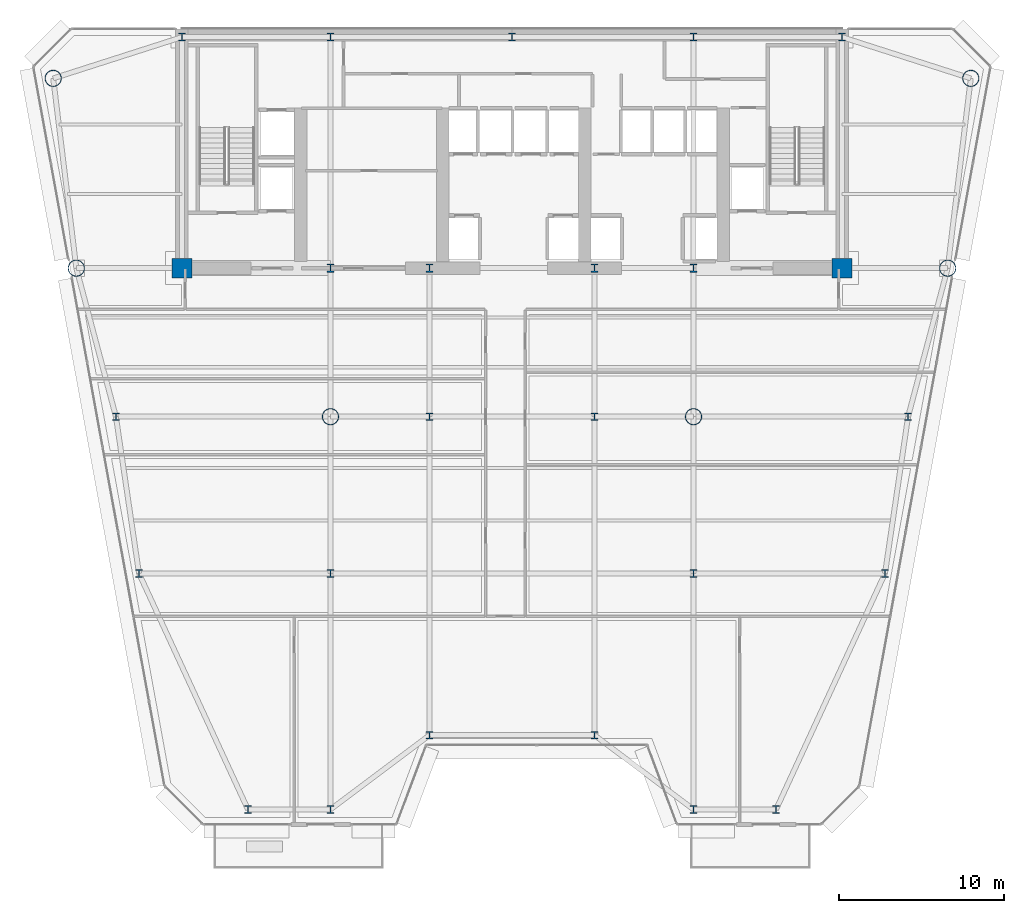
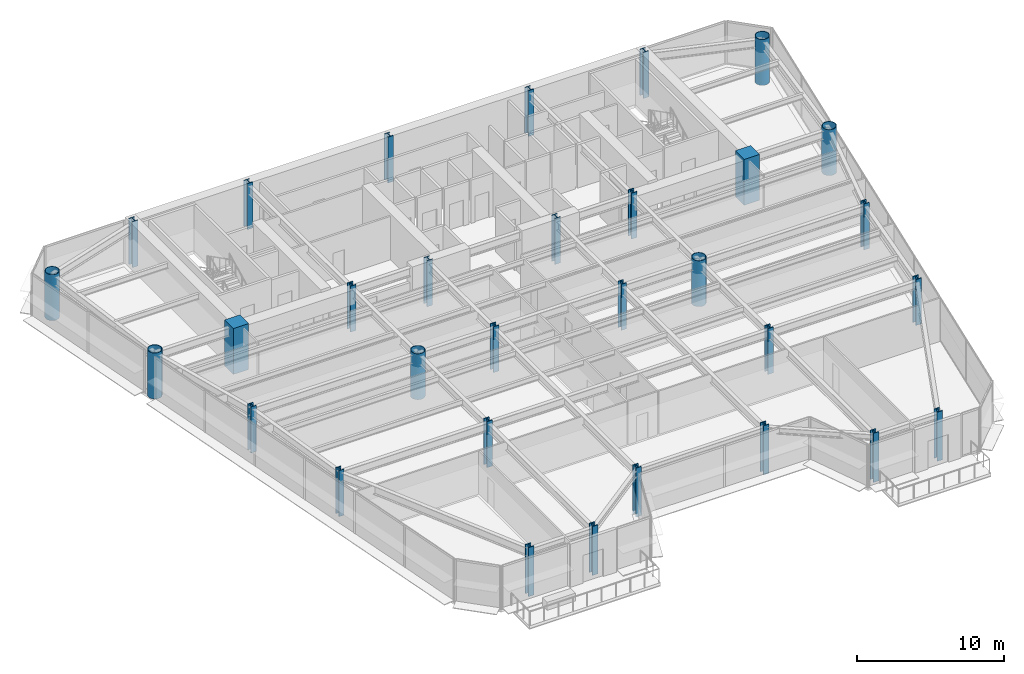
# One storey, part 1 of 17: 31 columns.
"""IFC4 building model written with IfcOpenShell, lengths in metres."""

from ifc_helpers import new_model, si_unit, direction, frame, origin, origin_2d, place, context, subcontext, project, spatial, rectangle, hollow_circle, i_section, extrude, source, transform, mapped, material, material_profile, profile_set, type_object, element, save


model = new_model("IFC4")

# Units and contexts
model_context = context("Model", 3, precision=1e-05, world=origin(), true_north=direction((0.0, 1.0)))
body_context = subcontext(model_context, "Body", "Model", "MODEL_VIEW")
ifc_project = project(units=[si_unit("LENGTHUNIT", "METRE"), si_unit("AREAUNIT", "SQUARE_METRE"), si_unit("VOLUMEUNIT", "CUBIC_METRE"), si_unit("PLANEANGLEUNIT", "RADIAN"), si_unit("MASSUNIT", "GRAM", prefix="KILO")], contexts=[model_context])

# Site, building, storey
site_placement = place(None, origin())
site = spatial("IfcSite", under=ifc_project, at=site_placement, CompositionType="ELEMENT")
building_placement = place(site_placement, origin())
building = spatial("IfcBuilding", under=site, at=building_placement, Name="Vaeldorn Concourse Tower", CompositionType="ELEMENT")
storey_placement = place(building_placement, frame((0.0, 0.0, 153.800048828125)))
storey = spatial("IfcBuildingStorey", under=building, at=storey_placement, Name="L39", CompositionType="ELEMENT", Elevation=153.800048828125)

# Columns
ifc_material_1 = material(Name="Concrete C50/60", Category="concrete")
ifc_material_profile_1 = material_profile(ifc_material_1, rectangle(XDim=1.199951171875, YDim=1.199951171875, at=origin_2d()), Name="RC 1200x1200")
ifc_profile_set_1 = profile_set([ifc_material_profile_1], Name="Concrete C50/60")
column_type_1 = type_object("IfcColumnType", Name="COL-RC1200", PredefinedType="COLUMN", material=ifc_profile_set_1)
shared_shape_1 = source(origin(), body_context, "Body", "SweptSolid", [
    extrude(rectangle(XDim=1.199951171875, YDim=1.199951171875, at=origin_2d()), origin(), (0.0, 0.0, 1.0), 3.800048828125),
])
for number, where, z_axis, x_axis, name in (
    (1, (14.0, 36.5, 0.0), (0.0, 0.0, 1.0), (1.0, 0.0, 0.0), "Column C-FC1 L39"),
    (2, (54.0, 36.5, 0.0), (0.0, 0.0, 1.0), (1.0, 0.0, 0.0), "Column C-FC6 L39"),
):
    element("IfcColumn", number, at=place(storey_placement, frame(where, z_axis=z_axis, x_axis=x_axis)), inside=storey, type_object=column_type_1, Name=name, PredefinedType="COLUMN", context=body_context, shape_type="MappedRepresentation", body=[
        mapped(shared_shape_1, transform((0.0, 0.0, 0.0), scale=1.0)),
    ])
ifc_material_2 = material(Name="Steel S460", Category="steel")
ifc_material_profile_2 = material_profile(ifc_material_2, i_section(OverallWidth=0.431884765625, OverallDepth=0.498046875, WebThickness=0.054931640625, FlangeThickness=0.068115234375, FilletRadius=0.014892578125, at=origin_2d()), Name="HD 400x744")
ifc_profile_set_2 = profile_set([ifc_material_profile_2], Name="Steel S460")
column_type_2 = type_object("IfcColumnType", Name="COL-HD744", PredefinedType="COLUMN", material=ifc_profile_set_2)
shared_shape_2 = source(origin(), body_context, "Body", "SweptSolid", [
    extrude(i_section(OverallWidth=0.431884765625, OverallDepth=0.498046875, WebThickness=0.054931640625, FlangeThickness=0.068115234375, FilletRadius=0.014892578125, at=origin_2d()), origin(), (0.0, 0.0, 1.0), 3.800048828125),
])
for number, where, z_axis, x_axis, name in (
    (3, (23.0, 36.5, 0.0), (0.0, 0.0, 1.0), (1.0, 0.0, 0.0), "Column C-FC2 L39"),
    (4, (29.0, 36.5, 0.0), (0.0, 0.0, 1.0), (1.0, 0.0, 0.0), "Column C-FC3 L39"),
    (5, (39.0, 36.5, 0.0), (0.0, 0.0, 1.0), (1.0, 0.0, 0.0), "Column C-FC4 L39"),
    (6, (45.0, 36.5, 0.0), (0.0, 0.0, 1.0), (1.0, 0.0, 0.0), "Column C-FC5 L39"),
    (7, (14.0, 50.5, 0.0), (0.0, 0.0, 1.0), (1.0, 0.0, 0.0), "Column C-HC1 L39"),
    (8, (23.0, 50.5, 0.0), (0.0, 0.0, 1.0), (1.0, 0.0, 0.0), "Column C-HC2 L39"),
    (9, (34.0, 50.5, 0.0), (0.0, 0.0, 1.0), (1.0, 0.0, 0.0), "Column C-HC3 L39"),
    (10, (45.0, 50.5, 0.0), (0.0, 0.0, 1.0), (1.0, 0.0, 0.0), "Column C-HC4 L39"),
    (11, (54.0, 50.5, 0.0), (0.0, 0.0, 1.0), (1.0, 0.0, 0.0), "Column C-HC5 L39"),
):
    element("IfcColumn", number, at=place(storey_placement, frame(where, z_axis=z_axis, x_axis=x_axis)), inside=storey, type_object=column_type_2, Name=name, PredefinedType="COLUMN", context=body_context, shape_type="MappedRepresentation", body=[
        mapped(shared_shape_2, transform((0.0, 0.0, 0.0), scale=1.0)),
    ])
ifc_material_profile_3 = material_profile(ifc_material_2, hollow_circle(Radius=0.508056640625, WallThickness=0.044921875, at=origin_2d()), Name="CHS 1016x45")
ifc_profile_set_3 = profile_set([ifc_material_profile_3], Name="Steel S460")
column_type_3 = type_object("IfcColumnType", Name="COL-CHS1016", PredefinedType="COLUMN", material=ifc_profile_set_3)
shared_shape_3 = source(origin(), body_context, "Body", "SweptSolid", [
    extrude(hollow_circle(Radius=0.508056640625, WallThickness=0.044921875, at=origin_2d()), origin(), (0.0, 0.0, 1.0), 3.800048828125),
])
for number, where, z_axis, x_axis, name in (
    (12, (6.199951171875, 48.0, 0.0), (0.0, 0.0, 1.0), (1.0, 0.0, 0.0), "Column C-NW1 L39"),
    (13, (7.60009765625, 36.5, 0.0), (0.0, 0.0, 1.0), (1.0, 0.0, 0.0), "Column C-NW2 L39"),
    (14, (61.800048828125, 48.0, 0.0), (0.0, 0.0, 1.0), (1.0, 0.0, 0.0), "Column C-NE1 L39"),
    (15, (60.39990234375, 36.5, 0.0), (0.0, 0.0, 1.0), (1.0, 0.0, 0.0), "Column C-NE2 L39"),
    (16, (23.0, 27.5, 0.0), (0.0, 0.0, 1.0), (1.0, 0.0, 0.0), "Column C-TW1 L39"),
    (17, (45.0, 27.5, 0.0), (0.0, 0.0, 1.0), (1.0, 0.0, 0.0), "Column C-TW4 L39"),
):
    element("IfcColumn", number, at=place(storey_placement, frame(where, z_axis=z_axis, x_axis=x_axis)), inside=storey, type_object=column_type_3, Name=name, PredefinedType="COLUMN", context=body_context, shape_type="MappedRepresentation", body=[
        mapped(shared_shape_3, transform((0.0, 0.0, 0.0), scale=1.0)),
    ])
ifc_material_profile_4 = material_profile(ifc_material_2, i_section(OverallWidth=0.424072265625, OverallDepth=0.47412109375, WebThickness=0.047119140625, FlangeThickness=0.06494140625, FilletRadius=0.014892578125, at=origin_2d()), Name="HD 400x634")
ifc_profile_set_4 = profile_set([ifc_material_profile_4], Name="Steel S460")
column_type_4 = type_object("IfcColumnType", Name="COL-HD634F", PredefinedType="COLUMN", material=ifc_profile_set_4)
shared_shape_4 = source(origin(), body_context, "Body", "SweptSolid", [
    extrude(i_section(OverallWidth=0.424072265625, OverallDepth=0.47412109375, WebThickness=0.047119140625, FlangeThickness=0.06494140625, FilletRadius=0.014892578125, at=origin_2d()), origin(), (0.0, 0.0, 1.0), 3.800048828125),
])
for number, where, z_axis, x_axis, name in (
    (18, (10.0, 27.5, 0.0), (0.0, 0.0, 1.0), (1.0, 0.0, 0.0), "Column C-FLW1 L39"),
    (19, (11.39990234375, 18.0, 0.0), (0.0, 0.0, 1.0), (1.0, 0.0, 0.0), "Column C-FLW2 L39"),
    (20, (58.0, 27.5, 0.0), (0.0, 0.0, 1.0), (1.0, 0.0, 0.0), "Column C-FLE1 L39"),
    (21, (56.60009765625, 18.0, 0.0), (0.0, 0.0, 1.0), (1.0, 0.0, 0.0), "Column C-FLE2 L39"),
):
    element("IfcColumn", number, at=place(storey_placement, frame(where, z_axis=z_axis, x_axis=x_axis)), inside=storey, type_object=column_type_4, Name=name, PredefinedType="COLUMN", context=body_context, shape_type="MappedRepresentation", body=[
        mapped(shared_shape_4, transform((0.0, 0.0, 0.0), scale=1.0)),
    ])
ifc_material_profile_5 = material_profile(ifc_material_2, i_section(OverallWidth=0.424072265625, OverallDepth=0.47412109375, WebThickness=0.047119140625, FlangeThickness=0.06494140625, FilletRadius=0.014892578125, at=origin_2d()), Name="HD 400x634")
ifc_profile_set_5 = profile_set([ifc_material_profile_5], Name="Steel S460")
column_type_5 = type_object("IfcColumnType", Name="COL-HD634T", PredefinedType="COLUMN", material=ifc_profile_set_5)
shared_shape_5 = source(origin(), body_context, "Body", "SweptSolid", [
    extrude(i_section(OverallWidth=0.424072265625, OverallDepth=0.47412109375, WebThickness=0.047119140625, FlangeThickness=0.06494140625, FilletRadius=0.014892578125, at=origin_2d()), origin(), (0.0, 0.0, 1.0), 3.800048828125),
])
for number, where, z_axis, x_axis, name in (
    (22, (29.0, 27.5, 0.0), (0.0, 0.0, 1.0), (1.0, 0.0, 0.0), "Column C-TW2 L39"),
    (23, (39.0, 27.5, 0.0), (0.0, 0.0, 1.0), (1.0, 0.0, 0.0), "Column C-TW3 L39"),
    (24, (23.0, 18.0, 0.0), (0.0, 0.0, 1.0), (1.0, 0.0, 0.0), "Column C-TW5 L39"),
    (25, (45.0, 18.0, 0.0), (0.0, 0.0, 1.0), (1.0, 0.0, 0.0), "Column C-TW6 L39"),
):
    element("IfcColumn", number, at=place(storey_placement, frame(where, z_axis=z_axis, x_axis=x_axis)), inside=storey, type_object=column_type_5, Name=name, PredefinedType="COLUMN", context=body_context, shape_type="MappedRepresentation", body=[
        mapped(shared_shape_5, transform((0.0, 0.0, 0.0), scale=1.0)),
    ])
shared_shape_6 = source(origin(), body_context, "Body", "SweptSolid", [
    extrude(i_section(OverallWidth=0.424072265625, OverallDepth=0.47412109375, WebThickness=0.047119140625, FlangeThickness=0.06494140625, FilletRadius=0.014892578125, at=origin_2d()), origin(), (0.0, 0.0, 1.0), 4.06005859375),
])
for number, where, z_axis, x_axis, name in (
    (26, (18.0, 3.699951171875, -0.260009765625), (0.0, 0.0, 1.0), (1.0, 0.0, 0.0), "Column C-SF1 L39"),
    (27, (23.0, 3.699951171875, -0.260009765625), (0.0, 0.0, 1.0), (1.0, 0.0, 0.0), "Column C-SF2 L39"),
    (28, (29.0, 8.199951171875, -0.260009765625), (0.0, 0.0, 1.0), (1.0, 0.0, 0.0), "Column C-SF3 L39"),
    (29, (39.0, 8.199951171875, -0.260009765625), (0.0, 0.0, 1.0), (1.0, 0.0, 0.0), "Column C-SF4 L39"),
    (30, (45.0, 3.699951171875, -0.260009765625), (0.0, 0.0, 1.0), (1.0, 0.0, 0.0), "Column C-SF5 L39"),
    (31, (50.0, 3.699951171875, -0.260009765625), (0.0, 0.0, 1.0), (1.0, 0.0, 0.0), "Column C-SF6 L39"),
):
    element("IfcColumn", number, at=place(storey_placement, frame(where, z_axis=z_axis, x_axis=x_axis)), inside=storey, type_object=column_type_5, Name=name, PredefinedType="COLUMN", context=body_context, shape_type="MappedRepresentation", body=[
        mapped(shared_shape_6, transform((0.0, 0.0, 0.0), scale=1.0)),
    ])

save(model, "model.ifc")
